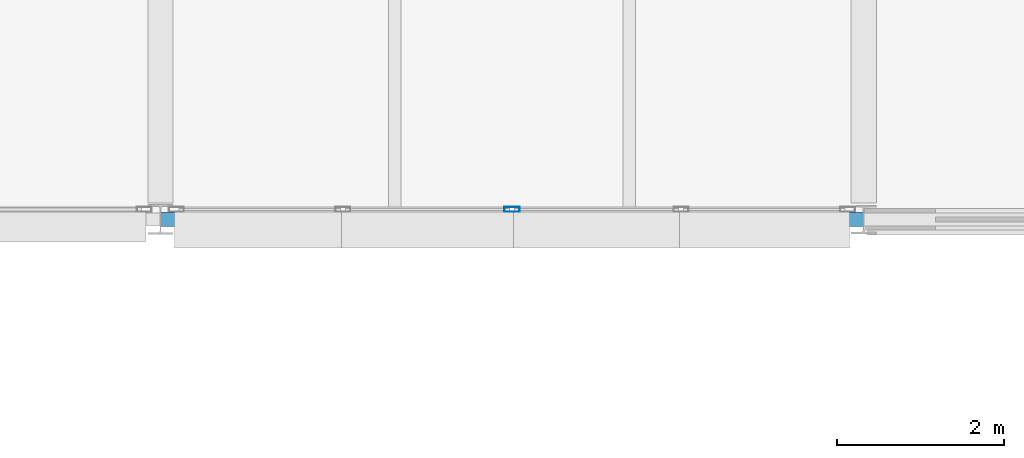
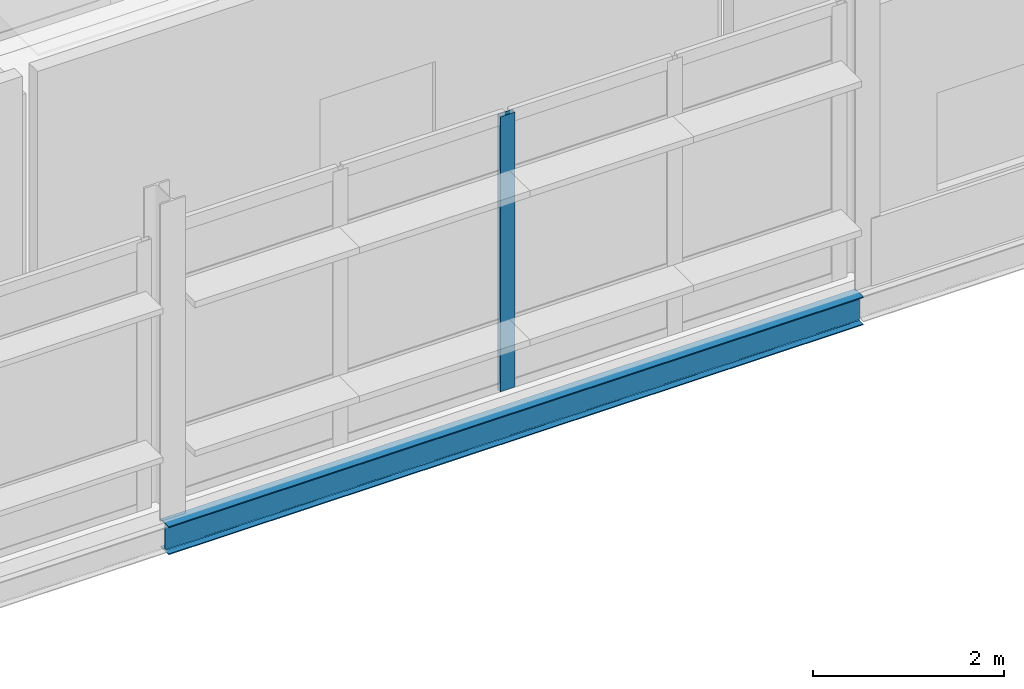
# One storey, part 10 of 66: 1 beam, 1 member, 1 element without a shape of its own.
"""IFC4 building model written with IfcOpenShell, lengths in metres."""

import ifcopenshell
import ifcopenshell.guid

model = None  # the IFC model being written
_history = None  # IfcOwnerHistory: only IFC2X3 demands one
_inside = {}  # id of a spatial element -> (the spatial element, [elements in it])
_under = {}  # id of a project, library or spatial element -> (it, [spatial elements below it])
_declared = {}  # id of a project -> (the project, [libraries it declares])
_typed = {}  # id of a type object -> (the type object, [elements of that type])
_made_of = {}  # id of a material, layer set ... -> (it, [elements and type objects made of it])


def new_model(schema):
    """Start an empty IFC model of exactly this schema.

    Asked for "IFC4X3", IfcOpenShell would pick the latest addendum, in which some entities
    have other attributes; the version numbers below select the first issue.
    IFC2X3 requires an IfcOwnerHistory on every rooted entity: one is made here for all.
    """
    global model, _history
    if schema == "IFC4X3":
        model = ifcopenshell.file(schema_version=(4, 3, 0, 0))
    else:
        model = ifcopenshell.file(schema=schema)
    _inside.clear()
    _under.clear()
    _declared.clear()
    _typed.clear()
    _made_of.clear()
    _history = None
    if model.schema == "IFC2X3":
        org = make("IfcOrganization", Name="unknown")
        user = make(
            "IfcPersonAndOrganization",
            ThePerson=make("IfcPerson", FamilyName="unknown"),
            TheOrganization=org,
        )
        app = make(
            "IfcApplication",
            ApplicationDeveloper=org,
            Version="unknown",
            ApplicationFullName="unknown",
            ApplicationIdentifier="unknown",
        )
        _history = make(
            "IfcOwnerHistory",
            OwningUser=user,
            OwningApplication=app,
            ChangeAction="ADDED",
            CreationDate=0,
        )
    return model


def make(cls, **values):
    """One entity of the class cls with the attributes given. An attribute that is None is left unset."""
    return model.create_entity(
        cls, **{name: value for name, value in values.items() if value is not None}
    )


def rooted(cls, **values):
    """An entity with a GlobalId (a new one), such as an element, a storey or a relation."""
    return make(cls, GlobalId=ifcopenshell.guid.new(), OwnerHistory=_history, **values)


def si_unit(unit_type, name, prefix=None):
    """IfcSIUnit, for example si_unit("LENGTHUNIT", "METRE", prefix="MILLI")."""
    return make("IfcSIUnit", UnitType=unit_type, Prefix=prefix, Name=name)


def assignment(units):
    """IfcUnitAssignment: the units of a project."""
    return None if units is None else make("IfcUnitAssignment", Units=units)


def point(xyz):
    """IfcCartesianPoint."""
    return None if xyz is None else make("IfcCartesianPoint", Coordinates=xyz)


def direction(xyz):
    """IfcDirection."""
    return None if xyz is None else make("IfcDirection", DirectionRatios=xyz)


def frame(location, z_axis=None, x_axis=None):
    """IfcAxis2Placement3D, a coordinate frame: its origin and axes. An axis left out is left unset."""
    return make(
        "IfcAxis2Placement3D",
        Location=point(location),
        Axis=direction(z_axis),
        RefDirection=direction(x_axis),
    )


def frame_2d(location, x_axis=None):
    """IfcAxis2Placement2D, a coordinate frame in the plane: its origin and x axis."""
    return make(
        "IfcAxis2Placement2D", Location=point(location), RefDirection=direction(x_axis)
    )


def origin():
    """The frame at (0, 0, 0) with its axes left unset."""
    return frame((0.0, 0.0, 0.0))


def origin_2d():
    """The frame at (0, 0) in the plane with its x axis left unset."""
    return frame_2d((0.0, 0.0))


def place(relative_to, where):
    """IfcLocalPlacement: puts the frame where relative to a parent placement (None: the world)."""
    return make(
        "IfcLocalPlacement", PlacementRelTo=relative_to, RelativePlacement=where
    )


def context(
    kind, dimensions, precision=None, world=None, true_north=None, identifier=None
):
    """IfcGeometricRepresentationContext, for example the 3D "Model" context."""
    return make(
        "IfcGeometricRepresentationContext",
        ContextIdentifier=identifier,
        ContextType=kind,
        CoordinateSpaceDimension=dimensions,
        Precision=precision,
        WorldCoordinateSystem=world,
        TrueNorth=true_north,
    )


def subcontext(parent, identifier, kind, view, scale=None):
    """IfcGeometricRepresentationSubContext, for example "Body" below "Model"."""
    return make(
        "IfcGeometricRepresentationSubContext",
        ContextIdentifier=identifier,
        ContextType=kind,
        ParentContext=parent,
        TargetScale=scale,
        TargetView=view,
    )


def project(units=None, contexts=None):
    """IfcProject with its units and contexts."""
    return rooted(
        "IfcProject",
        Name="project",
        RepresentationContexts=contexts,
        UnitsInContext=assignment(units),
    )


def spatial(cls, under=None, at=None, **own):
    """A site, building, storey or space (cls), placed at a placement, below another one or the project."""
    s = rooted(cls, ObjectPlacement=at, **own)
    if under is not None:
        _under.setdefault(under.id(), (under, []))[1].append(s)
    return s


def profile(cls, at=None, kind="AREA", **sizes):
    """A parametric profile (cls). Its sizes go by their IFC names, for example OverallWidth=200.0."""
    return make(cls, ProfileType=kind, Position=at, **sizes)


def hollow_rectangle(**sizes):
    """IfcRectangleHollowProfileDef."""
    return profile("IfcRectangleHollowProfileDef", **sizes)


def i_section(**sizes):
    """IfcIShapeProfileDef."""
    return profile("IfcIShapeProfileDef", **sizes)


def extrude(swept, where, along, depth):
    """IfcExtrudedAreaSolid: the profile swept, set in the frame where, extruded along a direction by depth."""
    return make(
        "IfcExtrudedAreaSolid",
        SweptArea=swept,
        Position=where,
        ExtrudedDirection=direction(along),
        Depth=depth,
    )


def shape(context_of_items, identifier, shape_type, items):
    """IfcShapeRepresentation: the items that make up one representation, for example the "Body"."""
    return make(
        "IfcShapeRepresentation",
        ContextOfItems=context_of_items,
        RepresentationIdentifier=identifier,
        RepresentationType=shape_type,
        Items=items,
    )


def material(Name=None, Category=None):
    """IfcMaterial."""
    return make("IfcMaterial", Name=Name, Category=Category)


def material_profile(
    of_material, cross_section, Name=None, Category=None, Priority=None
):
    """IfcMaterialProfile: a cross section and its material."""
    return make(
        "IfcMaterialProfile",
        Name=Name,
        Material=of_material,
        Profile=cross_section,
        Priority=Priority,
        Category=Category,
    )


def profile_set(profiles, Name=None, composite=None):
    """IfcMaterialProfileSet."""
    return make(
        "IfcMaterialProfileSet",
        Name=Name,
        MaterialProfiles=profiles,
        CompositeProfile=composite,
    )


def made_of(thing, what):
    """Note that an element or type object is made of a material, layer set ...; save() writes the relation."""
    if what is not None:
        _made_of.setdefault(what.id(), (what, []))[1].append(thing)
    return thing


def type_object(cls, material=None, **own):
    """A type object (cls), such as IfcWallType, which elements share."""
    return made_of(rooted(cls, **own), material)


def element(
    cls,
    number,
    at=None,
    inside=None,
    cuts=None,
    type_object=None,
    material=None,
    context=None,
    identifier="Body",
    shape_type=None,
    held_by="IfcProductDefinitionShape",
    body=None,
    shapes=None,
    **own,
):
    """One element of the class cls, such as IfcWall. Its Tag is "e" and its number.

    at: its placement. inside: the storey or other place that contains it. cuts: it is an
    opening in that element (IfcRelVoidsElement). A single representation is given by context,
    identifier, shape_type and body (its items); several are given by shapes. held_by: the class
    of the entity that holds the representations. save() writes the other relations.
    """
    e = rooted(cls, Tag="e%d" % number, ObjectPlacement=at, **own)
    if body is not None:
        shapes = [shape(context, identifier, shape_type, body)]
    if shapes is not None:
        e.Representation = make(held_by, Representations=shapes)
    if inside is not None:
        _inside.setdefault(inside.id(), (inside, []))[1].append(e)
    if cuts is not None:
        rooted(
            "IfcRelVoidsElement", RelatingBuildingElement=cuts, RelatedOpeningElement=e
        )
    if type_object is not None:
        _typed.setdefault(type_object.id(), (type_object, []))[1].append(e)
    return made_of(e, material)


def aggregate(whole, parts):
    """IfcRelAggregates: a whole, such as a stair, and the parts it consists of."""
    return rooted("IfcRelAggregates", RelatingObject=whole, RelatedObjects=parts)


def save(model, path):
    """Write the relations noted so far, then the file.

    IfcRelAggregates (storeys below a building ...), IfcRelContainedInSpatialStructure (elements
    in a storey), IfcRelDefinesByType, IfcRelAssociatesMaterial and IfcRelDeclares: one each for
    every whole, place, type object, material and project.
    """
    for whole, parts in _under.values():
        aggregate(whole, parts)
    for where, things in _inside.values():
        rooted(
            "IfcRelContainedInSpatialStructure",
            RelatedElements=things,
            RelatingStructure=where,
        )
    for kind, things in _typed.values():
        rooted("IfcRelDefinesByType", RelatedObjects=things, RelatingType=kind)
    for what, things in _made_of.values():
        rooted("IfcRelAssociatesMaterial", RelatedObjects=things, RelatingMaterial=what)
    for by, libraries in _declared.values():
        rooted("IfcRelDeclares", RelatingContext=by, RelatedDefinitions=libraries)
    model.write(path)


model = new_model("IFC4")

# Units and contexts
model_context = context("Model", 3, precision=1e-05, world=origin(), true_north=direction((0.0, 1.0)))
body_context = subcontext(model_context, "Body", "Model", "MODEL_VIEW")
ifc_project = project(units=[si_unit("LENGTHUNIT", "METRE"), si_unit("AREAUNIT", "SQUARE_METRE"), si_unit("VOLUMEUNIT", "CUBIC_METRE"), si_unit("PLANEANGLEUNIT", "RADIAN"), si_unit("MASSUNIT", "GRAM", prefix="KILO")], contexts=[model_context])

# Site, building, storey
site_placement = place(None, origin())
site = spatial("IfcSite", under=ifc_project, at=site_placement, CompositionType="ELEMENT")
building_placement = place(site_placement, origin())
building = spatial("IfcBuilding", under=site, at=building_placement, Name="Mersafa Astral City Hall", CompositionType="ELEMENT")
storey_placement = place(building_placement, frame((0.0, 0.0, 22.050048828125)))
storey = spatial("IfcBuildingStorey", under=building, at=storey_placement, Name="L05", CompositionType="ELEMENT", Elevation=22.050048828125)

# Curtain wall, member
ifc_material_1 = material(Name="Anodised bronze aluminium framing", Category="aluminium")
curtain_wall_type = type_object("IfcCurtainWallType", Name="ENV-CW-3", PredefinedType="USERDEFINED", material=ifc_material_1)
curtain_wall_placement = place(storey_placement, origin())
curtain_wall = element("IfcCurtainWall", 1, at=curtain_wall_placement, inside=storey, type_object=curtain_wall_type, Name="L05 Unitised solar curtain wall 236", ObjectType="UNITISED CURTAIN WALL", PredefinedType="USERDEFINED")
ifc_material_profile_1 = material_profile(ifc_material_1, hollow_rectangle(XDim=0.06005859375, YDim=0.179931640625, WallThickness=0.00390625, at=origin_2d()), Name="RHS 60x180x4")
ifc_profile_set_1 = profile_set([ifc_material_profile_1], Name="Anodised bronze aluminium framing")
member_type = type_object("IfcMemberType", Name="ENV-CW-MUL-1", PredefinedType="MULLION", material=ifc_profile_set_1)
member_placement = place(storey_placement, frame((71.39990234375, 117.719970703125, -0.001953125), z_axis=(0.0, 0.0, 1.0), x_axis=(0.0, 1.0, 0.0)))
member = element("IfcMember", 2, at=member_placement, type_object=member_type, Name="CW-3 mullion 3", PredefinedType="MULLION", context=body_context, shape_type="SweptSolid", body=[
    extrude(hollow_rectangle(XDim=0.06005859375, YDim=0.179931640625, WallThickness=0.00390625, at=origin_2d()), origin(), (0.0, 0.0, 1.0), 3.513916015625),
])
aggregate(curtain_wall, [member])

# Beam
ifc_material_2 = material(Name="Steel S355", Category="steel")
ifc_material_profile_2 = material_profile(ifc_material_2, i_section(OverallWidth=0.169921875, OverallDepth=0.360107421875, WebThickness=0.008056640625, FlangeThickness=0.0126953125, FilletRadius=0.01806640625, at=origin_2d()), Name="IPE 360")
ifc_profile_set_2 = profile_set([ifc_material_profile_2], Name="Steel S355")
beam_type = type_object("IfcBeamType", Name="STR-BM-SPANDREL-IPE360", PredefinedType="SPANDREL", material=ifc_profile_set_2)
beam_placement = place(storey_placement, frame((67.202880859375, 117.60009765625, -0.360107421875), z_axis=(1.0, 0.0, 0.0), x_axis=(0.0, 1.0, 0.0)))
element("IfcBeam", 3, at=beam_placement, inside=storey, type_object=beam_type, Name="L05 Primary girder X 8-14", PredefinedType="SPANDREL", context=body_context, shape_type="SweptSolid", body=[
    extrude(i_section(OverallWidth=0.169921875, OverallDepth=0.360107421875, WebThickness=0.008056640625, FlangeThickness=0.0126953125, FilletRadius=0.01806640625, at=origin_2d()), origin(), (0.0, 0.0, 1.0), 8.39404296875),
])

save(model, "model.ifc")
